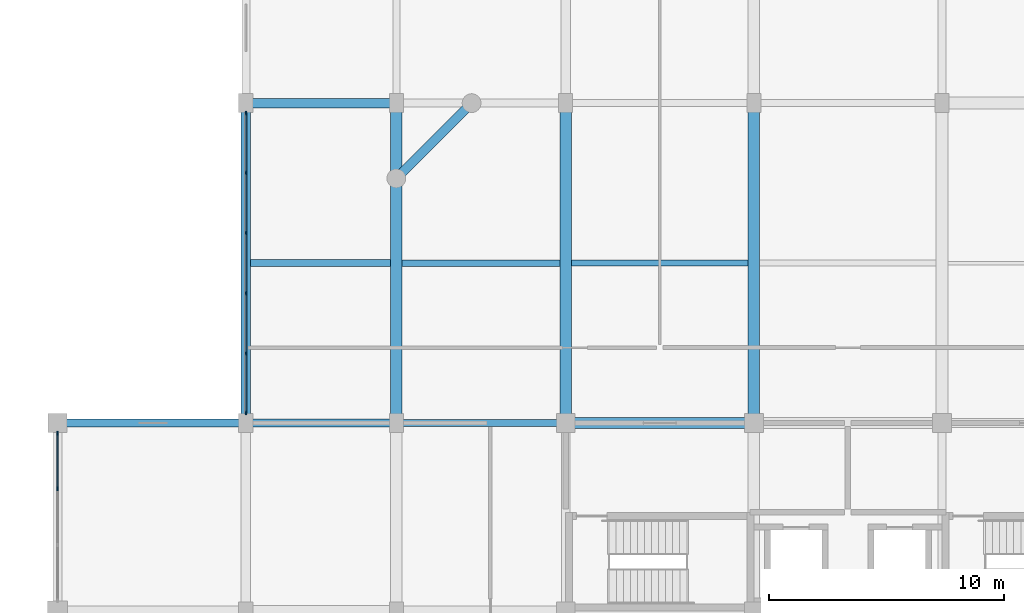
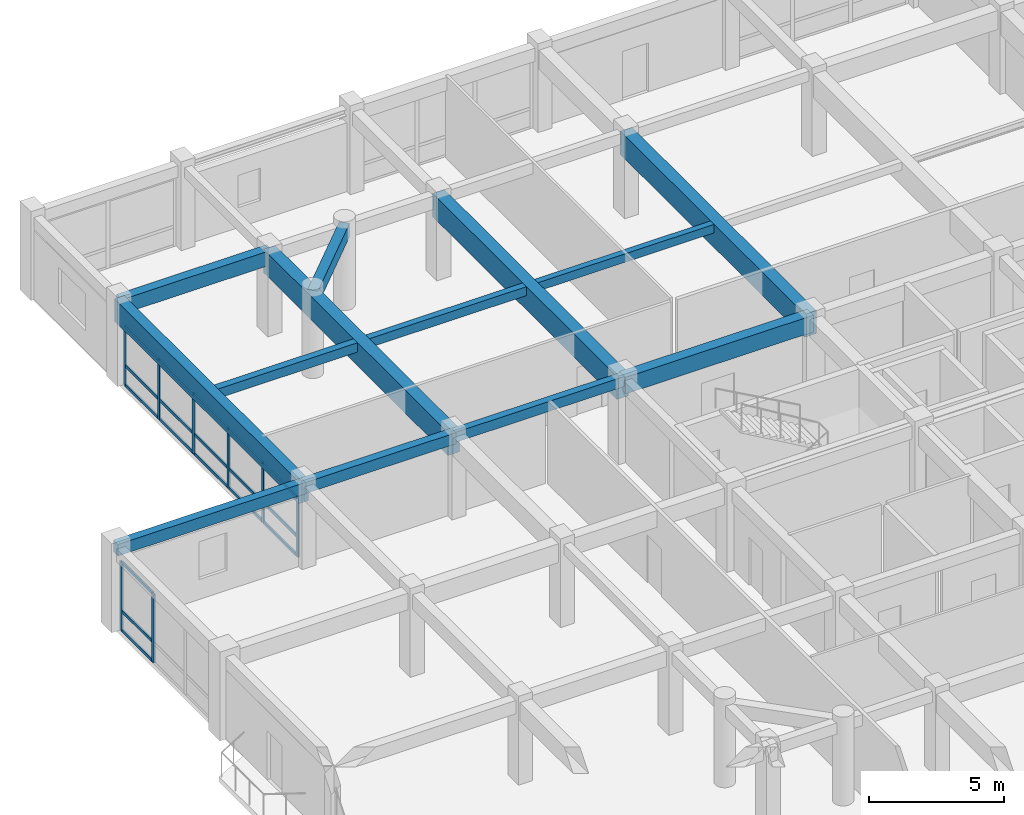
# One storey, part 8 of 20: 26 members, 13 beams, 2 elements without a shape of their own.
"""IFC4 building model written with IfcOpenShell, lengths in metres."""

from ifc_helpers import new_model, si_unit, direction, frame, origin, origin_2d, place, context, subcontext, project, spatial, rectangle, extrude, material, material_profile, profile_set, type_object, element, aggregate, save


model = new_model("IFC4")

# Units and contexts
model_context = context("Model", 3, precision=1e-05, world=origin(), true_north=direction((0.0, 1.0)))
body_context = subcontext(model_context, "Body", "Model", "MODEL_VIEW")
ifc_project = project(units=[si_unit("LENGTHUNIT", "METRE"), si_unit("AREAUNIT", "SQUARE_METRE"), si_unit("VOLUMEUNIT", "CUBIC_METRE"), si_unit("PLANEANGLEUNIT", "RADIAN"), si_unit("MASSUNIT", "GRAM", prefix="KILO")], contexts=[model_context])

# Site, building, storey
site_placement = place(None, origin())
site = spatial("IfcSite", under=ifc_project, at=site_placement, CompositionType="ELEMENT")
building_placement = place(site_placement, origin())
building = spatial("IfcBuilding", under=site, at=building_placement, Name="Vellmiral Cinema and Media Centre", CompositionType="ELEMENT")
storey_placement = place(building_placement, frame((0.0, 0.0, 23.800048828125)))
storey = spatial("IfcBuildingStorey", under=building, at=storey_placement, Name="L05", CompositionType="ELEMENT", Elevation=23.800048828125)

# Beams
ifc_material_1 = material(Name="Concrete C40/50", Category="concrete")
ifc_material_profile_1 = material_profile(ifc_material_1, rectangle(XDim=0.300048828125, YDim=0.449951171875, at=origin_2d()), Name="RC 300x450")
ifc_profile_set_1 = profile_set([ifc_material_profile_1], Name="Concrete C40/50")
beam_type_1 = type_object("IfcBeamType", Name="BM-RC-300x450", PredefinedType="BEAM", material=ifc_profile_set_1)
beam_1_placement = place(storey_placement, frame((116.800048828125, 95.199951171875, 3.469970703125), z_axis=(1.0, 0.0, 0.0), x_axis=(0.0, 1.0, 0.0)))
element("IfcBeam", 1, at=beam_1_placement, inside=storey, type_object=beam_type_1, Name="Grid Beam L05-X035", PredefinedType="BEAM", context=body_context, shape_type="SweptSolid", body=[
    extrude(rectangle(XDim=0.300048828125, YDim=0.449951171875, at=origin_2d()), origin(), (0.0, 0.0, 1.0), 7.199951171875),
])
ifc_material_2 = material(Name="Concrete C40/50", Category="concrete")
ifc_material_profile_2 = material_profile(ifc_material_2, rectangle(XDim=0.35009765625, YDim=0.5, at=origin_2d()), Name="RC 350x500")
ifc_profile_set_2 = profile_set([ifc_material_profile_2], Name="Concrete C40/50")
beam_type_2 = type_object("IfcBeamType", Name="BM-RC-350x500", PredefinedType="BEAM", material=ifc_profile_set_2)
beam_2_placement = place(storey_placement, frame((110.39990234375, 95.199951171875, 3.445068359375), z_axis=(1.0, 0.0, 0.0), x_axis=(0.0, 1.0, 0.0)))
element("IfcBeam", 2, at=beam_2_placement, inside=storey, type_object=beam_type_2, Name="Grid Beam L05-X034", PredefinedType="BEAM", context=body_context, shape_type="SweptSolid", body=[
    extrude(rectangle(XDim=0.35009765625, YDim=0.5, at=origin_2d()), origin(), (0.0, 0.0, 1.0), 6.400146484375),
])
ifc_material_3 = material(Name="Concrete C40/50", Category="concrete")
ifc_material_profile_3 = material_profile(ifc_material_3, rectangle(XDim=0.39990234375, YDim=0.64990234375, at=origin_2d()), Name="RC 400x650")
ifc_profile_set_3 = profile_set([ifc_material_profile_3], Name="Concrete C40/50")
beam_type_3 = type_object("IfcBeamType", Name="BM-RC-400x650", PredefinedType="BEAM", material=ifc_profile_set_3)
beam_3_placement = place(storey_placement, frame((110.39990234375, 108.800048828125, 3.369873046875), z_axis=(1.0, 0.0, 0.0), x_axis=(0.0, 1.0, 0.0)))
element("IfcBeam", 3, at=beam_3_placement, inside=storey, type_object=beam_type_3, Name="Grid Beam L05-X041", PredefinedType="BEAM", context=body_context, shape_type="SweptSolid", body=[
    extrude(rectangle(XDim=0.39990234375, YDim=0.64990234375, at=origin_2d()), origin(), (0.0, 0.0, 1.0), 6.400146484375),
])
ifc_material_4 = material(Name="Concrete C40/50", Category="concrete")
ifc_material_profile_4 = material_profile(ifc_material_4, rectangle(XDim=0.449951171875, YDim=0.75, at=origin_2d()), Name="RC 450x750")
ifc_profile_set_4 = profile_set([ifc_material_profile_4], Name="Concrete C40/50")
beam_type_4 = type_object("IfcBeamType", Name="BM-RC-450x750", PredefinedType="BEAM", material=ifc_profile_set_4)
beam_4_placement = place(storey_placement, frame((124.0, 95.199951171875, 3.320068359375), z_axis=(1.0, 0.0, 0.0), x_axis=(0.0, 1.0, 0.0)))
element("IfcBeam", 4, at=beam_4_placement, inside=storey, type_object=beam_type_4, Name="Grid Beam L05-X036", PredefinedType="BEAM", context=body_context, shape_type="SweptSolid", body=[
    extrude(rectangle(XDim=0.449951171875, YDim=0.75, at=origin_2d()), origin(), (0.0, 0.0, 1.0), 8.0),
])
ifc_material_5 = material(Name="Concrete C40/50", Category="concrete")
ifc_material_profile_5 = material_profile(ifc_material_5, rectangle(XDim=0.5, YDim=1.050048828125, at=origin_2d()), Name="RC 500x1050")
ifc_profile_set_5 = profile_set([ifc_material_profile_5], Name="Concrete C40/50")
beam_type_5 = type_object("IfcBeamType", Name="BM-RCG-500x1050", PredefinedType="BEAM", material=ifc_profile_set_5)
for number, where, z_axis, x_axis, name in (
    (5, (116.800048828125, 95.199951171875, 3.169921875), (0.0, 1.0, 0.0), (-1.0, 0.0, 0.0), "Grid Beam L05-Y068"),
    (6, (124.0, 95.199951171875, 3.169921875), (0.0, 1.0, 0.0), (-1.0, 0.0, 0.0), "Grid Beam L05-Y074"),
    (7, (132.0, 95.199951171875, 3.169921875), (0.0, 1.0, 0.0), (-1.0, 0.0, 0.0), "Grid Beam L05-Y080"),
):
    element("IfcBeam", number, at=place(storey_placement, frame(where, z_axis=z_axis, x_axis=x_axis)), inside=storey, type_object=beam_type_5, Name=name, PredefinedType="BEAM", context=body_context, shape_type="SweptSolid", body=[
        extrude(rectangle(XDim=0.5, YDim=1.050048828125, at=origin_2d()), origin(), (0.0, 0.0, 1.0), 13.60009765625),
    ])

# Curtain wall, members
ifc_material_6 = material(Name="Thermally Broken Aluminium and Triple Glazing", Category="aluminium")
curtain_wall_type = type_object("IfcCurtainWallType", Name="CW-TOWER-LOW-N", PredefinedType="USERDEFINED", material=ifc_material_6)
curtain_wall_1_placement = place(storey_placement, origin())
curtain_wall_1 = element("IfcCurtainWall", 8, at=curtain_wall_1_placement, inside=storey, type_object=curtain_wall_type, Name="Curtain Wall L05-B026", ObjectType="UNITISED CURTAIN WALL", PredefinedType="USERDEFINED")
ifc_material_7 = material(Name="Thermally Broken Anodised Aluminium", Category="aluminium")
ifc_material_profile_6 = material_profile(ifc_material_7, rectangle(XDim=0.06494140625, YDim=0.159912109375, at=origin_2d()), Name="MULL 65x160")
ifc_profile_set_6 = profile_set([ifc_material_profile_6], Name="Thermally Broken Anodised Aluminium")
member_type_1 = type_object("IfcMemberType", Name="CWM-65x160", PredefinedType="MULLION", material=ifc_profile_set_6)
member_1_placement = place(storey_placement, frame((110.39990234375, 108.367431640625, 0.0), z_axis=(0.0, 0.0, 1.0), x_axis=(1.0, 0.0, 0.0)))
member_1 = element("IfcMember", 9, at=member_1_placement, type_object=member_type_1, Name="CW-05 mullion 1", PredefinedType="MULLION", context=body_context, shape_type="SweptSolid", body=[
    extrude(rectangle(XDim=0.06494140625, YDim=0.159912109375, at=origin_2d()), origin(), (0.0, 0.0, 1.0), 2.68505859375),
])
member_2_placement = place(storey_placement, frame((110.39990234375, 105.840087890625, 0.0), z_axis=(0.0, 0.0, 1.0), x_axis=(1.0, 0.0, 0.0)))
member_2 = element("IfcMember", 10, at=member_2_placement, type_object=member_type_1, Name="CW-05 mullion 2", PredefinedType="MULLION", context=body_context, shape_type="SweptSolid", body=[
    extrude(rectangle(XDim=0.06494140625, YDim=0.159912109375, at=origin_2d()), origin(), (0.0, 0.0, 1.0), 2.68505859375),
])
member_3_placement = place(storey_placement, frame((110.39990234375, 103.280029296875, 0.0), z_axis=(0.0, 0.0, 1.0), x_axis=(1.0, 0.0, 0.0)))
member_3 = element("IfcMember", 11, at=member_3_placement, type_object=member_type_1, Name="CW-05 mullion 3", PredefinedType="MULLION", context=body_context, shape_type="SweptSolid", body=[
    extrude(rectangle(XDim=0.06494140625, YDim=0.159912109375, at=origin_2d()), origin(), (0.0, 0.0, 1.0), 2.68505859375),
])
member_4_placement = place(storey_placement, frame((110.39990234375, 100.719970703125, 0.0), z_axis=(0.0, 0.0, 1.0), x_axis=(1.0, 0.0, 0.0)))
member_4 = element("IfcMember", 12, at=member_4_placement, type_object=member_type_1, Name="CW-05 mullion 4", PredefinedType="MULLION", context=body_context, shape_type="SweptSolid", body=[
    extrude(rectangle(XDim=0.06494140625, YDim=0.159912109375, at=origin_2d()), origin(), (0.0, 0.0, 1.0), 2.68505859375),
])
member_5_placement = place(storey_placement, frame((110.39990234375, 98.159912109375, 0.0), z_axis=(0.0, 0.0, 1.0), x_axis=(1.0, 0.0, 0.0)))
member_5 = element("IfcMember", 13, at=member_5_placement, type_object=member_type_1, Name="CW-05 mullion 5", PredefinedType="MULLION", context=body_context, shape_type="SweptSolid", body=[
    extrude(rectangle(XDim=0.06494140625, YDim=0.159912109375, at=origin_2d()), origin(), (0.0, 0.0, 1.0), 2.68505859375),
])
member_6_placement = place(storey_placement, frame((110.39990234375, 95.632568359375, 0.0), z_axis=(0.0, 0.0, 1.0), x_axis=(1.0, 0.0, 0.0)))
member_6 = element("IfcMember", 14, at=member_6_placement, type_object=member_type_1, Name="CW-05 mullion 6", PredefinedType="MULLION", context=body_context, shape_type="SweptSolid", body=[
    extrude(rectangle(XDim=0.06494140625, YDim=0.159912109375, at=origin_2d()), origin(), (0.0, 0.0, 1.0), 2.68505859375),
])

curtain_wall_2_placement = place(storey_placement, origin())
curtain_wall_2 = element("IfcCurtainWall", 15, at=curtain_wall_2_placement, inside=storey, type_object=curtain_wall_type, Name="Curtain Wall L05-B028", ObjectType="UNITISED CURTAIN WALL", PredefinedType="USERDEFINED")
member_7_placement = place(storey_placement, frame((102.39990234375, 94.767578125, 0.0), z_axis=(0.0, 0.0, 1.0), x_axis=(1.0, 0.0, 0.0)))
member_7 = element("IfcMember", 16, at=member_7_placement, type_object=member_type_1, Name="CW-05 mullion 1", PredefinedType="MULLION", context=body_context, shape_type="SweptSolid", body=[
    extrude(rectangle(XDim=0.06494140625, YDim=0.159912109375, at=origin_2d()), origin(), (0.0, 0.0, 1.0), 3.099853515625),
])
member_8_placement = place(storey_placement, frame((102.39990234375, 92.408447265625, 0.0), z_axis=(0.0, 0.0, 1.0), x_axis=(1.0, 0.0, 0.0)))
member_8 = element("IfcMember", 17, at=member_8_placement, type_object=member_type_1, Name="CW-05 mullion 2", PredefinedType="MULLION", context=body_context, shape_type="SweptSolid", body=[
    extrude(rectangle(XDim=0.06494140625, YDim=0.159912109375, at=origin_2d()), origin(), (0.0, 0.0, 1.0), 3.099853515625),
])

# Member
ifc_material_8 = material(Name="Thermally Broken Anodised Aluminium", Category="aluminium")
ifc_material_profile_7 = material_profile(ifc_material_8, rectangle(XDim=0.06494140625, YDim=0.135009765625, at=origin_2d()), Name="MULL 65x135")
ifc_profile_set_7 = profile_set([ifc_material_profile_7], Name="Thermally Broken Anodised Aluminium")
member_type_2 = type_object("IfcMemberType", Name="CWT-65x135", PredefinedType="USERDEFINED", material=ifc_profile_set_7)
member_9_placement = place(storey_placement, frame((110.39990234375, 108.3349609375, 0.032470703125), z_axis=(0.0, -1.0, 0.0), x_axis=(1.0, 0.0, 0.0)))
member_9 = element("IfcMember", 18, at=member_9_placement, type_object=member_type_2, Name="CW-05 transom 1.1", ObjectType="TRANSOM", PredefinedType="USERDEFINED", context=body_context, shape_type="SweptSolid", body=[
    extrude(rectangle(XDim=0.06494140625, YDim=0.135009765625, at=origin_2d()), origin(), (0.0, 0.0, 1.0), 2.46240234375),
])

member_10_placement = place(storey_placement, frame((110.39990234375, 108.3349609375, 0.89990234375), z_axis=(0.0, -1.0, 0.0), x_axis=(1.0, 0.0, 0.0)))
member_10 = element("IfcMember", 19, at=member_10_placement, type_object=member_type_2, Name="CW-05 transom 1.2", ObjectType="TRANSOM", PredefinedType="USERDEFINED", context=body_context, shape_type="SweptSolid", body=[
    extrude(rectangle(XDim=0.06494140625, YDim=0.135009765625, at=origin_2d()), origin(), (0.0, 0.0, 1.0), 2.46240234375),
])

member_11_placement = place(storey_placement, frame((110.39990234375, 108.3349609375, 2.65234375), z_axis=(0.0, -1.0, 0.0), x_axis=(1.0, 0.0, 0.0)))
member_11 = element("IfcMember", 20, at=member_11_placement, type_object=member_type_2, Name="CW-05 transom 1.3", ObjectType="TRANSOM", PredefinedType="USERDEFINED", context=body_context, shape_type="SweptSolid", body=[
    extrude(rectangle(XDim=0.06494140625, YDim=0.135009765625, at=origin_2d()), origin(), (0.0, 0.0, 1.0), 2.46240234375),
])

member_12_placement = place(storey_placement, frame((110.39990234375, 105.8076171875, 0.032470703125), z_axis=(0.0, -1.0, 0.0), x_axis=(1.0, 0.0, 0.0)))
member_12 = element("IfcMember", 21, at=member_12_placement, type_object=member_type_2, Name="CW-05 transom 2.1", ObjectType="TRANSOM", PredefinedType="USERDEFINED", context=body_context, shape_type="SweptSolid", body=[
    extrude(rectangle(XDim=0.06494140625, YDim=0.135009765625, at=origin_2d()), origin(), (0.0, 0.0, 1.0), 2.4951171875),
])

member_13_placement = place(storey_placement, frame((110.39990234375, 105.8076171875, 0.89990234375), z_axis=(0.0, -1.0, 0.0), x_axis=(1.0, 0.0, 0.0)))
member_13 = element("IfcMember", 22, at=member_13_placement, type_object=member_type_2, Name="CW-05 transom 2.2", ObjectType="TRANSOM", PredefinedType="USERDEFINED", context=body_context, shape_type="SweptSolid", body=[
    extrude(rectangle(XDim=0.06494140625, YDim=0.135009765625, at=origin_2d()), origin(), (0.0, 0.0, 1.0), 2.4951171875),
])

member_14_placement = place(storey_placement, frame((110.39990234375, 105.8076171875, 2.65234375), z_axis=(0.0, -1.0, 0.0), x_axis=(1.0, 0.0, 0.0)))
member_14 = element("IfcMember", 23, at=member_14_placement, type_object=member_type_2, Name="CW-05 transom 2.3", ObjectType="TRANSOM", PredefinedType="USERDEFINED", context=body_context, shape_type="SweptSolid", body=[
    extrude(rectangle(XDim=0.06494140625, YDim=0.135009765625, at=origin_2d()), origin(), (0.0, 0.0, 1.0), 2.4951171875),
])

member_15_placement = place(storey_placement, frame((110.39990234375, 103.24755859375, 0.032470703125), z_axis=(0.0, -1.0, 0.0), x_axis=(1.0, 0.0, 0.0)))
member_15 = element("IfcMember", 24, at=member_15_placement, type_object=member_type_2, Name="CW-05 transom 3.1", ObjectType="TRANSOM", PredefinedType="USERDEFINED", context=body_context, shape_type="SweptSolid", body=[
    extrude(rectangle(XDim=0.06494140625, YDim=0.135009765625, at=origin_2d()), origin(), (0.0, 0.0, 1.0), 2.4951171875),
])

member_16_placement = place(storey_placement, frame((110.39990234375, 103.24755859375, 0.89990234375), z_axis=(0.0, -1.0, 0.0), x_axis=(1.0, 0.0, 0.0)))
member_16 = element("IfcMember", 25, at=member_16_placement, type_object=member_type_2, Name="CW-05 transom 3.2", ObjectType="TRANSOM", PredefinedType="USERDEFINED", context=body_context, shape_type="SweptSolid", body=[
    extrude(rectangle(XDim=0.06494140625, YDim=0.135009765625, at=origin_2d()), origin(), (0.0, 0.0, 1.0), 2.4951171875),
])

member_17_placement = place(storey_placement, frame((110.39990234375, 103.24755859375, 2.65234375), z_axis=(0.0, -1.0, 0.0), x_axis=(1.0, 0.0, 0.0)))
member_17 = element("IfcMember", 26, at=member_17_placement, type_object=member_type_2, Name="CW-05 transom 3.3", ObjectType="TRANSOM", PredefinedType="USERDEFINED", context=body_context, shape_type="SweptSolid", body=[
    extrude(rectangle(XDim=0.06494140625, YDim=0.135009765625, at=origin_2d()), origin(), (0.0, 0.0, 1.0), 2.4951171875),
])

member_18_placement = place(storey_placement, frame((110.39990234375, 100.6875, 0.032470703125), z_axis=(0.0, -1.0, 0.0), x_axis=(1.0, 0.0, 0.0)))
member_18 = element("IfcMember", 27, at=member_18_placement, type_object=member_type_2, Name="CW-05 transom 4.1", ObjectType="TRANSOM", PredefinedType="USERDEFINED", context=body_context, shape_type="SweptSolid", body=[
    extrude(rectangle(XDim=0.06494140625, YDim=0.135009765625, at=origin_2d()), origin(), (0.0, 0.0, 1.0), 2.4951171875),
])

member_19_placement = place(storey_placement, frame((110.39990234375, 100.6875, 0.89990234375), z_axis=(0.0, -1.0, 0.0), x_axis=(1.0, 0.0, 0.0)))
member_19 = element("IfcMember", 28, at=member_19_placement, type_object=member_type_2, Name="CW-05 transom 4.2", ObjectType="TRANSOM", PredefinedType="USERDEFINED", context=body_context, shape_type="SweptSolid", body=[
    extrude(rectangle(XDim=0.06494140625, YDim=0.135009765625, at=origin_2d()), origin(), (0.0, 0.0, 1.0), 2.4951171875),
])

member_20_placement = place(storey_placement, frame((110.39990234375, 100.6875, 2.65234375), z_axis=(0.0, -1.0, 0.0), x_axis=(1.0, 0.0, 0.0)))
member_20 = element("IfcMember", 29, at=member_20_placement, type_object=member_type_2, Name="CW-05 transom 4.3", ObjectType="TRANSOM", PredefinedType="USERDEFINED", context=body_context, shape_type="SweptSolid", body=[
    extrude(rectangle(XDim=0.06494140625, YDim=0.135009765625, at=origin_2d()), origin(), (0.0, 0.0, 1.0), 2.4951171875),
])

member_21_placement = place(storey_placement, frame((110.39990234375, 98.12744140625, 0.032470703125), z_axis=(0.0, -1.0, 0.0), x_axis=(1.0, 0.0, 0.0)))
member_21 = element("IfcMember", 30, at=member_21_placement, type_object=member_type_2, Name="CW-05 transom 5.1", ObjectType="TRANSOM", PredefinedType="USERDEFINED", context=body_context, shape_type="SweptSolid", body=[
    extrude(rectangle(XDim=0.06494140625, YDim=0.135009765625, at=origin_2d()), origin(), (0.0, 0.0, 1.0), 2.46240234375),
])

member_22_placement = place(storey_placement, frame((110.39990234375, 98.12744140625, 0.89990234375), z_axis=(0.0, -1.0, 0.0), x_axis=(1.0, 0.0, 0.0)))
member_22 = element("IfcMember", 31, at=member_22_placement, type_object=member_type_2, Name="CW-05 transom 5.2", ObjectType="TRANSOM", PredefinedType="USERDEFINED", context=body_context, shape_type="SweptSolid", body=[
    extrude(rectangle(XDim=0.06494140625, YDim=0.135009765625, at=origin_2d()), origin(), (0.0, 0.0, 1.0), 2.46240234375),
])

member_23_placement = place(storey_placement, frame((110.39990234375, 98.12744140625, 2.65234375), z_axis=(0.0, -1.0, 0.0), x_axis=(1.0, 0.0, 0.0)))
member_23 = element("IfcMember", 32, at=member_23_placement, type_object=member_type_2, Name="CW-05 transom 5.3", ObjectType="TRANSOM", PredefinedType="USERDEFINED", context=body_context, shape_type="SweptSolid", body=[
    extrude(rectangle(XDim=0.06494140625, YDim=0.135009765625, at=origin_2d()), origin(), (0.0, 0.0, 1.0), 2.46240234375),
])

aggregate(curtain_wall_1, [member_1, member_2, member_3, member_4, member_5, member_6, member_9, member_10, member_11, member_12, member_13, member_14, member_15, member_16, member_17, member_18, member_19, member_20, member_21, member_22, member_23])

member_24_placement = place(storey_placement, frame((102.39990234375, 94.735107421875, 0.032470703125), z_axis=(0.0, -1.0, 0.0), x_axis=(1.0, 0.0, 0.0)))
member_24 = element("IfcMember", 33, at=member_24_placement, type_object=member_type_2, Name="CW-05 transom 1.1", ObjectType="TRANSOM", PredefinedType="USERDEFINED", context=body_context, shape_type="SweptSolid", body=[
    extrude(rectangle(XDim=0.06494140625, YDim=0.135009765625, at=origin_2d()), origin(), (0.0, 0.0, 1.0), 2.294189453125),
])

member_25_placement = place(storey_placement, frame((102.39990234375, 94.735107421875, 0.89990234375), z_axis=(0.0, -1.0, 0.0), x_axis=(1.0, 0.0, 0.0)))
member_25 = element("IfcMember", 34, at=member_25_placement, type_object=member_type_2, Name="CW-05 transom 1.2", ObjectType="TRANSOM", PredefinedType="USERDEFINED", context=body_context, shape_type="SweptSolid", body=[
    extrude(rectangle(XDim=0.06494140625, YDim=0.135009765625, at=origin_2d()), origin(), (0.0, 0.0, 1.0), 2.294189453125),
])

member_26_placement = place(storey_placement, frame((102.39990234375, 94.735107421875, 3.0673828125), z_axis=(0.0, -1.0, 0.0), x_axis=(1.0, 0.0, 0.0)))
member_26 = element("IfcMember", 35, at=member_26_placement, type_object=member_type_2, Name="CW-05 transom 1.3", ObjectType="TRANSOM", PredefinedType="USERDEFINED", context=body_context, shape_type="SweptSolid", body=[
    extrude(rectangle(XDim=0.06494140625, YDim=0.135009765625, at=origin_2d()), origin(), (0.0, 0.0, 1.0), 2.294189453125),
])

aggregate(curtain_wall_2, [member_7, member_8, member_24, member_25, member_26])

# Beams
ifc_material_9 = material(Name="Concrete C40/50", Category="concrete")
ifc_material_profile_8 = material_profile(ifc_material_9, rectangle(XDim=0.260009765625, YDim=0.3798828125, at=origin_2d()), Name="RC 260x380")
ifc_profile_set_8 = profile_set([ifc_material_profile_8], Name="Concrete C40/50")
beam_type_6 = type_object("IfcBeamType", Name="JST-RC-260x380", PredefinedType="JOIST", material=ifc_profile_set_8)
beam_5_placement = place(storey_placement, frame((124.25, 102.0, 3.5048828125), z_axis=(1.0, 0.0, 0.0), x_axis=(0.0, 1.0, 0.0)))
element("IfcBeam", 36, at=beam_5_placement, inside=storey, type_object=beam_type_6, Name="Secondary Floor Joist L05-003", PredefinedType="JOIST", context=body_context, shape_type="SweptSolid", body=[
    extrude(rectangle(XDim=0.260009765625, YDim=0.3798828125, at=origin_2d()), origin(), (0.0, 0.0, 1.0), 7.5),
])
ifc_material_10 = material(Name="Concrete C40/50", Category="concrete")
ifc_material_profile_9 = material_profile(ifc_material_10, rectangle(XDim=0.280029296875, YDim=0.39990234375, at=origin_2d()), Name="RC 280x400")
ifc_profile_set_9 = profile_set([ifc_material_profile_9], Name="Concrete C40/50")
beam_type_7 = type_object("IfcBeamType", Name="JST-RC-280x400", PredefinedType="JOIST", material=ifc_profile_set_9)
beam_6_placement = place(storey_placement, frame((117.050048828125, 102.0, 3.494873046875), z_axis=(1.0, 0.0, 0.0), x_axis=(0.0, 1.0, 0.0)))
element("IfcBeam", 37, at=beam_6_placement, inside=storey, type_object=beam_type_7, Name="Secondary Floor Joist L05-002", PredefinedType="JOIST", context=body_context, shape_type="SweptSolid", body=[
    extrude(rectangle(XDim=0.280029296875, YDim=0.39990234375, at=origin_2d()), origin(), (0.0, 0.0, 1.0), 6.699951171875),
])
ifc_material_11 = material(Name="Concrete C40/50", Category="concrete")
ifc_material_profile_10 = material_profile(ifc_material_11, rectangle(XDim=0.300048828125, YDim=0.419921875, at=origin_2d()), Name="RC 300x420")
ifc_profile_set_10 = profile_set([ifc_material_profile_10], Name="Concrete C40/50")
beam_type_8 = type_object("IfcBeamType", Name="JST-RC-300x420", PredefinedType="JOIST", material=ifc_profile_set_10)
beam_7_placement = place(storey_placement, frame((110.610107421875, 102.0, 3.48486328125), z_axis=(1.0, 0.0, 0.0), x_axis=(0.0, 1.0, 0.0)))
element("IfcBeam", 38, at=beam_7_placement, inside=storey, type_object=beam_type_8, Name="Secondary Floor Joist L05-001", PredefinedType="JOIST", context=body_context, shape_type="SweptSolid", body=[
    extrude(rectangle(XDim=0.300048828125, YDim=0.419921875, at=origin_2d()), origin(), (0.0, 0.0, 1.0), 5.93994140625),
])
ifc_material_12 = material(Name="Concrete C40/50", Category="concrete")
ifc_material_profile_11 = material_profile(ifc_material_12, rectangle(XDim=0.39990234375, YDim=0.60009765625, at=origin_2d()), Name="RC 400x600")
ifc_profile_set_11 = profile_set([ifc_material_profile_11], Name="Concrete C40/50")
beam_type_9 = type_object("IfcBeamType", Name="SPD-RC-400x600", PredefinedType="SPANDREL", material=ifc_profile_set_11)
beam_8_placement = place(storey_placement, frame((116.800048828125, 105.60009765625, 3.39501953125), z_axis=(0.707106781187, 0.707106781187, 0.0), x_axis=(-0.707106781187, 0.707106781187, 0.0)))
element("IfcBeam", 39, at=beam_8_placement, inside=storey, type_object=beam_type_9, Name="Xamfra Chamfer Spandrel Beam L05-106", PredefinedType="SPANDREL", context=body_context, shape_type="SweptSolid", body=[
    extrude(rectangle(XDim=0.39990234375, YDim=0.60009765625, at=origin_2d()), origin(), (0.0, 0.0, 1.0), 4.525390625),
])
ifc_material_13 = material(Name="Vosges Red Sandstone Masonry", Category="masonry")
ifc_material_profile_12 = material_profile(ifc_material_13, rectangle(XDim=0.340087890625, YDim=0.52001953125, at=origin_2d()), Name="SAND 340x520")
ifc_profile_set_12 = profile_set([ifc_material_profile_12], Name="Vosges Red Sandstone Masonry")
beam_type_10 = type_object("IfcBeamType", Name="SPD-SAND-340x520", PredefinedType="SPANDREL", material=ifc_profile_set_12)
beam_9_placement = place(storey_placement, frame((102.39990234375, 95.199951171875, 3.43505859375), z_axis=(1.0, 0.0, 0.0), x_axis=(0.0, 1.0, 0.0)))
element("IfcBeam", 40, at=beam_9_placement, inside=storey, type_object=beam_type_10, Name="Grid Beam L05-X033", PredefinedType="SPANDREL", context=body_context, shape_type="SweptSolid", body=[
    extrude(rectangle(XDim=0.340087890625, YDim=0.52001953125, at=origin_2d()), origin(), (0.0, 0.0, 1.0), 8.0),
])
ifc_material_14 = material(Name="Vosges Red Sandstone Masonry", Category="masonry")
ifc_material_profile_13 = material_profile(ifc_material_14, rectangle(XDim=0.419921875, YDim=1.0, at=origin_2d()), Name="SAND 420x1000")
ifc_profile_set_13 = profile_set([ifc_material_profile_13], Name="Vosges Red Sandstone Masonry")
beam_type_11 = type_object("IfcBeamType", Name="SPD-SANDG-420x1000", PredefinedType="SPANDREL", material=ifc_profile_set_13)
beam_10_placement = place(storey_placement, frame((110.39990234375, 95.199951171875, 3.195068359375), z_axis=(0.0, 1.0, 0.0), x_axis=(-1.0, 0.0, 0.0)))
element("IfcBeam", 41, at=beam_10_placement, inside=storey, type_object=beam_type_11, Name="Grid Beam L05-Y062", PredefinedType="SPANDREL", context=body_context, shape_type="SweptSolid", body=[
    extrude(rectangle(XDim=0.419921875, YDim=1.0, at=origin_2d()), origin(), (0.0, 0.0, 1.0), 13.60009765625),
])

save(model, "model.ifc")
